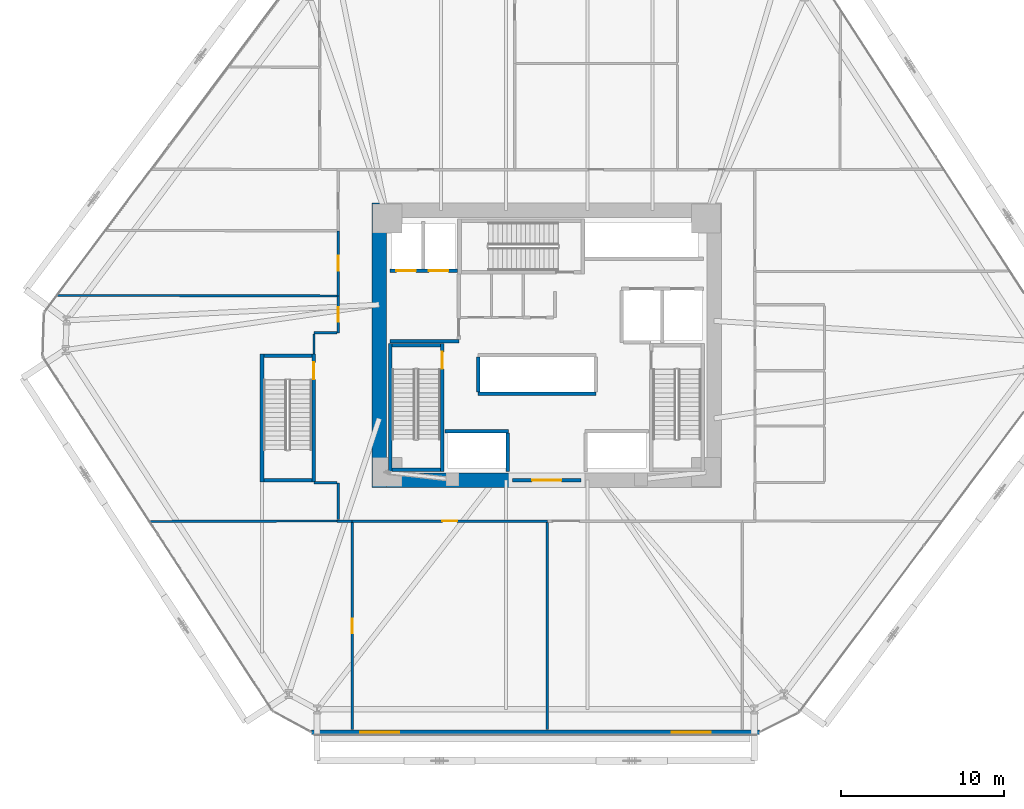
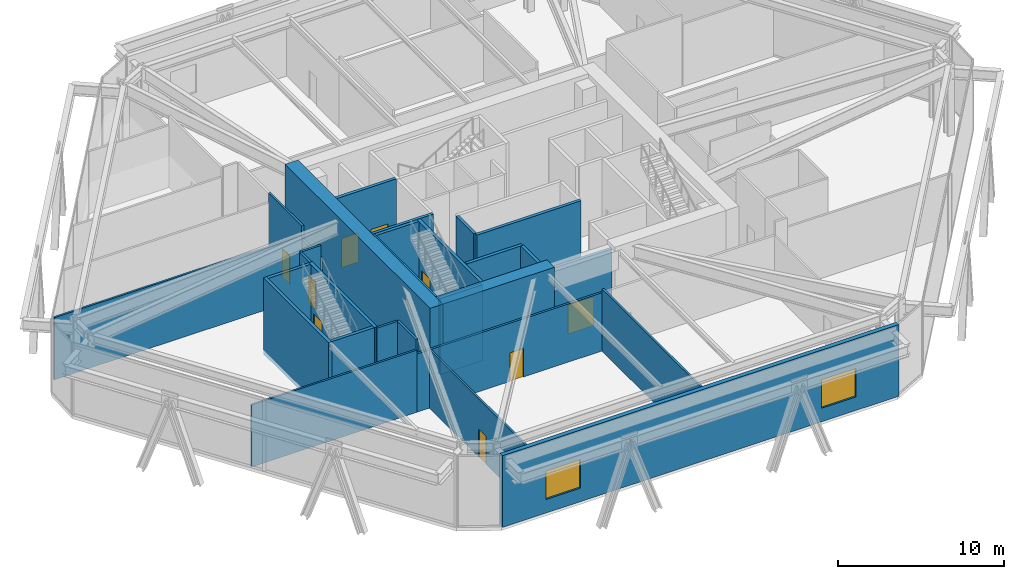
# One storey, part 17 of 23: 30 walls, 9 doors, 2 windows, 11 openings.
"""IFC4 building model written with IfcOpenShell, lengths in metres."""

import ifcopenshell
import ifcopenshell.guid

model = None  # the IFC model being written
_history = None  # IfcOwnerHistory: only IFC2X3 demands one
_inside = {}  # id of a spatial element -> (the spatial element, [elements in it])
_under = {}  # id of a project, library or spatial element -> (it, [spatial elements below it])
_declared = {}  # id of a project -> (the project, [libraries it declares])
_typed = {}  # id of a type object -> (the type object, [elements of that type])
_made_of = {}  # id of a material, layer set ... -> (it, [elements and type objects made of it])


def new_model(schema):
    """Start an empty IFC model of exactly this schema.

    Asked for "IFC4X3", IfcOpenShell would pick the latest addendum, in which some entities
    have other attributes; the version numbers below select the first issue.
    IFC2X3 requires an IfcOwnerHistory on every rooted entity: one is made here for all.
    """
    global model, _history
    if schema == "IFC4X3":
        model = ifcopenshell.file(schema_version=(4, 3, 0, 0))
    else:
        model = ifcopenshell.file(schema=schema)
    _inside.clear()
    _under.clear()
    _declared.clear()
    _typed.clear()
    _made_of.clear()
    _history = None
    if model.schema == "IFC2X3":
        org = make("IfcOrganization", Name="unknown")
        user = make(
            "IfcPersonAndOrganization",
            ThePerson=make("IfcPerson", FamilyName="unknown"),
            TheOrganization=org,
        )
        app = make(
            "IfcApplication",
            ApplicationDeveloper=org,
            Version="unknown",
            ApplicationFullName="unknown",
            ApplicationIdentifier="unknown",
        )
        _history = make(
            "IfcOwnerHistory",
            OwningUser=user,
            OwningApplication=app,
            ChangeAction="ADDED",
            CreationDate=0,
        )
    return model


def make(cls, **values):
    """One entity of the class cls with the attributes given. An attribute that is None is left unset."""
    return model.create_entity(
        cls, **{name: value for name, value in values.items() if value is not None}
    )


def rooted(cls, **values):
    """An entity with a GlobalId (a new one), such as an element, a storey or a relation."""
    return make(cls, GlobalId=ifcopenshell.guid.new(), OwnerHistory=_history, **values)


def si_unit(unit_type, name, prefix=None):
    """IfcSIUnit, for example si_unit("LENGTHUNIT", "METRE", prefix="MILLI")."""
    return make("IfcSIUnit", UnitType=unit_type, Prefix=prefix, Name=name)


def assignment(units):
    """IfcUnitAssignment: the units of a project."""
    return None if units is None else make("IfcUnitAssignment", Units=units)


def point(xyz):
    """IfcCartesianPoint."""
    return None if xyz is None else make("IfcCartesianPoint", Coordinates=xyz)


def direction(xyz):
    """IfcDirection."""
    return None if xyz is None else make("IfcDirection", DirectionRatios=xyz)


def frame(location, z_axis=None, x_axis=None):
    """IfcAxis2Placement3D, a coordinate frame: its origin and axes. An axis left out is left unset."""
    return make(
        "IfcAxis2Placement3D",
        Location=point(location),
        Axis=direction(z_axis),
        RefDirection=direction(x_axis),
    )


def frame_2d(location, x_axis=None):
    """IfcAxis2Placement2D, a coordinate frame in the plane: its origin and x axis."""
    return make(
        "IfcAxis2Placement2D", Location=point(location), RefDirection=direction(x_axis)
    )


def origin():
    """The frame at (0, 0, 0) with its axes left unset."""
    return frame((0.0, 0.0, 0.0))


def place(relative_to, where):
    """IfcLocalPlacement: puts the frame where relative to a parent placement (None: the world)."""
    return make(
        "IfcLocalPlacement", PlacementRelTo=relative_to, RelativePlacement=where
    )


def context(
    kind, dimensions, precision=None, world=None, true_north=None, identifier=None
):
    """IfcGeometricRepresentationContext, for example the 3D "Model" context."""
    return make(
        "IfcGeometricRepresentationContext",
        ContextIdentifier=identifier,
        ContextType=kind,
        CoordinateSpaceDimension=dimensions,
        Precision=precision,
        WorldCoordinateSystem=world,
        TrueNorth=true_north,
    )


def subcontext(parent, identifier, kind, view, scale=None):
    """IfcGeometricRepresentationSubContext, for example "Body" below "Model"."""
    return make(
        "IfcGeometricRepresentationSubContext",
        ContextIdentifier=identifier,
        ContextType=kind,
        ParentContext=parent,
        TargetScale=scale,
        TargetView=view,
    )


def project(units=None, contexts=None):
    """IfcProject with its units and contexts."""
    return rooted(
        "IfcProject",
        Name="project",
        RepresentationContexts=contexts,
        UnitsInContext=assignment(units),
    )


def spatial(cls, under=None, at=None, **own):
    """A site, building, storey or space (cls), placed at a placement, below another one or the project."""
    s = rooted(cls, ObjectPlacement=at, **own)
    if under is not None:
        _under.setdefault(under.id(), (under, []))[1].append(s)
    return s


def profile(cls, at=None, kind="AREA", **sizes):
    """A parametric profile (cls). Its sizes go by their IFC names, for example OverallWidth=200.0."""
    return make(cls, ProfileType=kind, Position=at, **sizes)


def rectangle(**sizes):
    """IfcRectangleProfileDef."""
    return profile("IfcRectangleProfileDef", **sizes)


def extrude(swept, where, along, depth):
    """IfcExtrudedAreaSolid: the profile swept, set in the frame where, extruded along a direction by depth."""
    return make(
        "IfcExtrudedAreaSolid",
        SweptArea=swept,
        Position=where,
        ExtrudedDirection=direction(along),
        Depth=depth,
    )


def shape(context_of_items, identifier, shape_type, items):
    """IfcShapeRepresentation: the items that make up one representation, for example the "Body"."""
    return make(
        "IfcShapeRepresentation",
        ContextOfItems=context_of_items,
        RepresentationIdentifier=identifier,
        RepresentationType=shape_type,
        Items=items,
    )


def source(mapping_origin, context_of_items, identifier, shape_type, items):
    """IfcRepresentationMap: a shape defined once, which mapped items show again and again."""
    return make(
        "IfcRepresentationMap",
        MappingOrigin=mapping_origin,
        MappedRepresentation=shape(context_of_items, identifier, shape_type, items),
    )


def transform(
    local_origin,
    x_axis=None,
    y_axis=None,
    z_axis=None,
    scale=None,
    scale2=None,
    scale3=None,
    uniform=True,
):
    """IfcCartesianTransformationOperator3D, or its non-uniform kind. x_axis, y_axis, z_axis: its Axis1, 2, 3."""
    if uniform:
        return make(
            "IfcCartesianTransformationOperator3D",
            Axis1=direction(x_axis),
            Axis2=direction(y_axis),
            LocalOrigin=point(local_origin),
            Scale=scale,
            Axis3=direction(z_axis),
        )
    return make(
        "IfcCartesianTransformationOperator3DnonUniform",
        Axis1=direction(x_axis),
        Axis2=direction(y_axis),
        LocalOrigin=point(local_origin),
        Scale=scale,
        Axis3=direction(z_axis),
        Scale2=scale2,
        Scale3=scale3,
    )


def mapped(mapping_source, mapping_target):
    """IfcMappedItem: shows the shape of a source again, moved by a transform."""
    return make(
        "IfcMappedItem", MappingSource=mapping_source, MappingTarget=mapping_target
    )


def material(Name=None, Category=None):
    """IfcMaterial."""
    return make("IfcMaterial", Name=Name, Category=Category)


def layer(
    of_material, thickness, ventilated=None, Name=None, Category=None, Priority=None
):
    """IfcMaterialLayer: one layer of a wall or slab, of a material (None: an air gap)."""
    return make(
        "IfcMaterialLayer",
        Material=of_material,
        LayerThickness=thickness,
        IsVentilated=ventilated,
        Name=Name,
        Category=Category,
        Priority=Priority,
    )


def layer_set(layers, Name=None):
    """IfcMaterialLayerSet."""
    return make("IfcMaterialLayerSet", MaterialLayers=layers, LayerSetName=Name)


def made_of(thing, what):
    """Note that an element or type object is made of a material, layer set ...; save() writes the relation."""
    if what is not None:
        _made_of.setdefault(what.id(), (what, []))[1].append(thing)
    return thing


def type_object(cls, material=None, **own):
    """A type object (cls), such as IfcWallType, which elements share."""
    return made_of(rooted(cls, **own), material)


def type_shapes(of_type, sources):
    """Give a type object the sources (RepresentationMaps) that its elements show as mapped items."""
    of_type.RepresentationMaps = sources


def element(
    cls,
    number,
    at=None,
    inside=None,
    cuts=None,
    type_object=None,
    material=None,
    context=None,
    identifier="Body",
    shape_type=None,
    held_by="IfcProductDefinitionShape",
    body=None,
    shapes=None,
    **own,
):
    """One element of the class cls, such as IfcWall. Its Tag is "e" and its number.

    at: its placement. inside: the storey or other place that contains it. cuts: it is an
    opening in that element (IfcRelVoidsElement). A single representation is given by context,
    identifier, shape_type and body (its items); several are given by shapes. held_by: the class
    of the entity that holds the representations. save() writes the other relations.
    """
    e = rooted(cls, Tag="e%d" % number, ObjectPlacement=at, **own)
    if body is not None:
        shapes = [shape(context, identifier, shape_type, body)]
    if shapes is not None:
        e.Representation = make(held_by, Representations=shapes)
    if inside is not None:
        _inside.setdefault(inside.id(), (inside, []))[1].append(e)
    if cuts is not None:
        rooted(
            "IfcRelVoidsElement", RelatingBuildingElement=cuts, RelatedOpeningElement=e
        )
    if type_object is not None:
        _typed.setdefault(type_object.id(), (type_object, []))[1].append(e)
    return made_of(e, material)


def fill(opening, filler):
    """IfcRelFillsElement: the door or window that sits in an opening."""
    return rooted(
        "IfcRelFillsElement",
        RelatingOpeningElement=opening,
        RelatedBuildingElement=filler,
    )


def aggregate(whole, parts):
    """IfcRelAggregates: a whole, such as a stair, and the parts it consists of."""
    return rooted("IfcRelAggregates", RelatingObject=whole, RelatedObjects=parts)


def save(model, path):
    """Write the relations noted so far, then the file.

    IfcRelAggregates (storeys below a building ...), IfcRelContainedInSpatialStructure (elements
    in a storey), IfcRelDefinesByType, IfcRelAssociatesMaterial and IfcRelDeclares: one each for
    every whole, place, type object, material and project.
    """
    for whole, parts in _under.values():
        aggregate(whole, parts)
    for where, things in _inside.values():
        rooted(
            "IfcRelContainedInSpatialStructure",
            RelatedElements=things,
            RelatingStructure=where,
        )
    for kind, things in _typed.values():
        rooted("IfcRelDefinesByType", RelatedObjects=things, RelatingType=kind)
    for what, things in _made_of.values():
        rooted("IfcRelAssociatesMaterial", RelatedObjects=things, RelatingMaterial=what)
    for by, libraries in _declared.values():
        rooted("IfcRelDeclares", RelatingContext=by, RelatedDefinitions=libraries)
    model.write(path)


model = new_model("IFC4")

# Units and contexts
model_context = context("Model", 3, precision=1e-05, world=origin(), true_north=direction((0.0, 1.0)))
body_context = subcontext(model_context, "Body", "Model", "MODEL_VIEW")
ifc_project = project(units=[si_unit("LENGTHUNIT", "METRE"), si_unit("AREAUNIT", "SQUARE_METRE"), si_unit("VOLUMEUNIT", "CUBIC_METRE"), si_unit("PLANEANGLEUNIT", "RADIAN"), si_unit("MASSUNIT", "GRAM", prefix="KILO")], contexts=[model_context])

# Site, building, storey
site_placement = place(None, origin())
site = spatial("IfcSite", under=ifc_project, at=site_placement, CompositionType="ELEMENT")
building_placement = place(site_placement, origin())
building = spatial("IfcBuilding", under=site, at=building_placement, Name="Durnholm Broadcast Tower", CompositionType="ELEMENT")
storey_placement = place(building_placement, frame((0.0, 0.0, 21.199951171875)))
storey = spatial("IfcBuildingStorey", under=building, at=storey_placement, Name="L04", CompositionType="ELEMENT", Elevation=21.199951171875)

# Walls
ifc_material_1 = material(Name="Concrete C70/85", Category="concrete")
ifc_layer_1 = layer(ifc_material_1, 0.89990234375)
ifc_layer_set_1 = layer_set([ifc_layer_1], Name="Concrete C70/85")
wall_type_1 = type_object("IfcWallType", Name="WALL-CW-900", PredefinedType="SHEAR", material=ifc_layer_set_1)
wall_1_placement = place(storey_placement, frame((-10.300048828125, -8.75, 0.0), z_axis=(0.0, 0.0, 1.0), x_axis=(0.0, 1.0, 0.0)))
element("IfcWall", 1, at=wall_1_placement, inside=storey, type_object=wall_type_1, Name="L04 central core shear wall CW-WEST", PredefinedType="SHEAR", context=body_context, shape_type="SweptSolid", body=[
    extrude(rectangle(XDim=17.5, YDim=0.89990234375, at=frame_2d((8.75, 0.0))), origin(), (0.0, 0.0, 1.0), 5.60009765625),
])
wall_2_placement = place(storey_placement, frame((-9.85009765625, -8.300048828125, 0.0), z_axis=(0.0, 0.0, 1.0), x_axis=(1.0, 0.0, 0.0)))
element("IfcWall", 2, at=wall_2_placement, inside=storey, type_object=wall_type_1, Name="L04 central core shear wall CW-S1", PredefinedType="SHEAR", context=body_context, shape_type="SweptSolid", body=[
    extrude(rectangle(XDim=7.75, YDim=0.89990234375, at=frame_2d((3.875, 0.0))), origin(), (0.0, 0.0, 1.0), 5.60009765625),
])

# Wall, openings, windows
ifc_material_2 = material(Name="Precast Concrete C45/55", Category="concrete")
ifc_layer_2 = layer(ifc_material_2, 0.300048828125)
ifc_layer_set_2 = layer_set([ifc_layer_2], Name="Precast Concrete C45/55")
wall_type_2 = type_object("IfcWallType", Name="WALL-EXT-300", PredefinedType="SOLIDWALL", material=ifc_layer_set_2)
wall_3_placement = place(storey_placement, frame((13.102783203125, -23.800048828125, 0.0), z_axis=(0.0, 0.0, 1.0), x_axis=(-1.0, 0.0, 0.0)))
wall_3 = element("IfcWall", 3, at=wall_3_placement, inside=storey, type_object=wall_type_2, Name="L04 broadcast studio acoustic facade wall 10", PredefinedType="SOLIDWALL", context=body_context, shape_type="SweptSolid", body=[
    extrude(rectangle(XDim=27.577880859375, YDim=0.300048828125, at=frame_2d((13.7890625, 0.0))), origin(), (0.0, 0.0, 1.0), 5.280029296875),
])
opening_1_placement = place(wall_3_placement, frame((3.0, 0.0, 1.0)))
opening_1 = element("IfcOpeningElement", 4, at=opening_1_placement, cuts=wall_3, Name="Opening W1", PredefinedType="OPENING", context=body_context, shape_type="SweptSolid", body=[
    extrude(rectangle(XDim=2.39990234375, YDim=2.10009765625, at=frame_2d((1.199951171875, 1.050048828125))), frame((0.0, 0.16015625, 0.0), z_axis=(0.0, -1.0, 0.0), x_axis=(1.0, 0.0, 0.0)), (0.0, 0.0, 1.0), 0.320068359375),
])
opening_2_placement = place(wall_3_placement, frame((22.177978515625, 0.0, 1.0)))
opening_2 = element("IfcOpeningElement", 5, at=opening_2_placement, cuts=wall_3, Name="Opening W1", PredefinedType="OPENING", context=body_context, shape_type="SweptSolid", body=[
    extrude(rectangle(XDim=2.39990234375, YDim=2.10009765625, at=frame_2d((1.199951171875, 1.050048828125))), frame((0.0, 0.16015625, 0.0), z_axis=(0.0, -1.0, 0.0), x_axis=(1.0, 0.0, 0.0)), (0.0, 0.0, 1.0), 0.320068359375),
])
ifc_material_3 = material(Name="Thermally Broken Aluminium and Laminated Glass", Category="aluminium")
ifc_layer_3 = layer(ifc_material_3, 0.06005859375)
ifc_layer_set_3 = layer_set([ifc_layer_3], Name="Thermally Broken Aluminium and Laminated Glass")
window_type = type_object("IfcWindowType", Name="WIN-W1", PartitioningType="SINGLE_PANEL", PredefinedType="WINDOW", material=ifc_layer_set_3)
shared_shape_1 = source(origin(), body_context, "Body", "SweptSolid", [
    extrude(rectangle(XDim=2.39990234375, YDim=2.10009765625, at=frame_2d((1.199951171875, 1.050048828125))), frame((0.0, 0.030029296875, 0.0), z_axis=(0.0, -1.0, 0.0), x_axis=(1.0, 0.0, 0.0)), (0.0, 0.0, 1.0), 0.06005859375),
])
type_shapes(window_type, [shared_shape_1])
window_1_placement = place(opening_1_placement, origin())
window_1 = element("IfcWindow", 6, at=window_1_placement, inside=storey, type_object=window_type, Name="L04 studio acoustic window 10.1", OverallHeight=2.10009765625, OverallWidth=2.39990234375, PartitioningType="SINGLE_PANEL", PredefinedType="WINDOW", context=body_context, shape_type="MappedRepresentation", body=[
    mapped(shared_shape_1, transform((0.0, 0.0, 0.0), x_axis=(1.0, 0.0, 0.0), y_axis=(0.0, 1.0, 0.0), z_axis=(0.0, 0.0, 1.0), scale=1.0)),
])
fill(opening_1, window_1)
window_2_placement = place(opening_2_placement, origin())
window_2 = element("IfcWindow", 7, at=window_2_placement, inside=storey, type_object=window_type, Name="L04 studio acoustic window 10.2", OverallHeight=2.10009765625, OverallWidth=2.39990234375, PartitioningType="SINGLE_PANEL", PredefinedType="WINDOW", context=body_context, shape_type="MappedRepresentation", body=[
    mapped(shared_shape_1, transform((0.0, 0.0, 0.0), x_axis=(1.0, 0.0, 0.0), y_axis=(0.0, 1.0, 0.0), z_axis=(0.0, 0.0, 1.0), scale=1.0)),
])
fill(opening_2, window_2)

# Wall, opening, door
ifc_material_4 = material(Name="Fire-Rated Gypsum Shaftwall", Category="concrete")
ifc_layer_4 = layer(ifc_material_4, 0.199951171875)
ifc_layer_set_4 = layer_set([ifc_layer_4], Name="Fire-Rated Gypsum Shaftwall")
wall_type_3 = type_object("IfcWallType", Name="WALL-LOB-200", PredefinedType="SOLIDWALL", material=ifc_layer_set_4)
wall_4_placement = place(storey_placement, frame((-2.10009765625, -8.300048828125, 0.0), z_axis=(0.0, 0.0, 1.0), x_axis=(1.0, 0.0, 0.0)))
wall_4 = element("IfcWall", 8, at=wall_4_placement, inside=storey, type_object=wall_type_3, Name="L04 south core lobby fire screen", PredefinedType="SOLIDWALL", context=body_context, shape_type="SweptSolid", body=[
    extrude(rectangle(XDim=4.2001953125, YDim=0.199951171875, at=frame_2d((2.10009765625, 0.0))), origin(), (0.0, 0.0, 1.0), 5.26513671875),
])
opening_3_placement = place(wall_4_placement, frame((1.199951171875, 0.0, 0.0)))
opening_3 = element("IfcOpeningElement", 9, at=opening_3_placement, cuts=wall_4, Name="Opening DP-60", PredefinedType="OPENING", context=body_context, shape_type="SweptSolid", body=[
    extrude(rectangle(XDim=1.800048828125, YDim=2.14990234375, at=frame_2d((0.89990234375, 1.074951171875))), frame((0.0, 0.10986328125, 0.0), z_axis=(0.0, -1.0, 0.0), x_axis=(1.0, 0.0, 0.0)), (0.0, 0.0, 1.0), 0.219970703125),
])
ifc_material_5 = material(Name="Fire-Rated Double Corridor Door", Category="steel")
ifc_layer_5 = layer(ifc_material_5, 0.050048828125)
ifc_layer_set_5 = layer_set([ifc_layer_5], Name="Fire-Rated Double Corridor Door")
door_type_1 = type_object("IfcDoorType", Name="DOOR-PAIR-FD60", OperationType="DOUBLE_DOOR_SINGLE_SWING", PredefinedType="DOOR", material=ifc_layer_set_5)
shared_shape_2 = source(origin(), body_context, "Body", "SweptSolid", [
    extrude(rectangle(XDim=1.800048828125, YDim=2.14990234375, at=frame_2d((0.89990234375, 1.074951171875))), frame((0.0, 0.02490234375, 0.0), z_axis=(0.0, -1.0, 0.0), x_axis=(1.0, 0.0, 0.0)), (0.0, 0.0, 1.0), 0.050048828125),
])
type_shapes(door_type_1, [shared_shape_2])
door_1_placement = place(opening_3_placement, origin())
door_1 = element("IfcDoor", 10, at=door_1_placement, inside=storey, type_object=door_type_1, Name="L04 south core lobby double fire door", OperationType="DOUBLE_DOOR_SINGLE_SWING", OverallHeight=2.14990234375, OverallWidth=1.800048828125, PredefinedType="DOOR", context=body_context, shape_type="MappedRepresentation", body=[
    mapped(shared_shape_2, transform((0.0, 0.0, 0.0), x_axis=(1.0, 0.0, 0.0), y_axis=(0.0, 1.0, 0.0), z_axis=(0.0, 0.0, 1.0), scale=1.0)),
])
fill(opening_3, door_1)

# Wall
wall_5_placement = place(storey_placement, frame((-9.64990234375, 0.25, 0.0), z_axis=(0.0, 0.0, 1.0), x_axis=(1.0, 0.0, 0.0)))
element("IfcWall", 11, at=wall_5_placement, inside=storey, type_object=wall_type_3, Name="L04 Fire Service Access Elevator lobby south wall", PredefinedType="SOLIDWALL", context=body_context, shape_type="SweptSolid", body=[
    extrude(rectangle(XDim=4.27001953125, YDim=0.199951171875, at=frame_2d((2.135009765625, 0.0))), origin(), (0.0, 0.0, 1.0), 5.26513671875),
])

# Wall, opening, door
ifc_material_6 = material(Name="Gypsum Metal Stud Partition", Category="concrete")
ifc_layer_6 = layer(ifc_material_6, 0.135009765625)
ifc_layer_set_6 = layer_set([ifc_layer_6], Name="Gypsum Metal Stud Partition")
wall_type_4 = type_object("IfcWallType", Name="WALL-PART-135", PredefinedType="PARTITIONING", material=ifc_layer_set_6)
wall_6_placement = place(storey_placement, frame((-11.9599609375, -10.888916015625, 0.0), z_axis=(0.0, 0.0, 1.0), x_axis=(0.0, -1.0, 0.0)))
wall_6 = element("IfcWall", 12, at=wall_6_placement, inside=storey, type_object=wall_type_4, Name="L04 room dividing partition 14.15", PredefinedType="PARTITIONING", context=body_context, shape_type="SweptSolid", body=[
    extrude(rectangle(XDim=12.756103515625, YDim=0.135009765625, at=frame_2d((6.3779296875, 0.0))), origin(), (0.0, 0.0, 1.0), 4.28466796875),
])
opening_4_placement = place(wall_6_placement, frame((5.927978515625, 0.0, 0.0)))
opening_4 = element("IfcOpeningElement", 13, at=opening_4_placement, cuts=wall_6, Name="Opening DW-90L", PredefinedType="OPENING", context=body_context, shape_type="SweptSolid", body=[
    extrude(rectangle(XDim=0.89990234375, YDim=2.050048828125, at=frame_2d((0.449951171875, 1.02490234375))), frame((0.0, 0.07763671875, 0.0), z_axis=(0.0, -1.0, 0.0), x_axis=(1.0, 0.0, 0.0)), (0.0, 0.0, 1.0), 0.155029296875),
])
ifc_material_7 = material(Name="Laminate Restroom Door", Category="steel")
ifc_layer_7 = layer(ifc_material_7, 0.050048828125)
ifc_layer_set_7 = layer_set([ifc_layer_7], Name="Laminate Restroom Door")
door_type_2 = type_object("IfcDoorType", Name="DOOR-WC-900L", OperationType="NOTDEFINED", PredefinedType="DOOR", material=ifc_layer_set_7)
shared_shape_3 = source(origin(), body_context, "Body", "SweptSolid", [
    extrude(rectangle(XDim=0.89990234375, YDim=2.050048828125, at=frame_2d((0.449951171875, 1.02490234375))), frame((0.0, 0.02490234375, 0.0), z_axis=(0.0, -1.0, 0.0), x_axis=(1.0, 0.0, 0.0)), (0.0, 0.0, 1.0), 0.050048828125),
])
type_shapes(door_type_2, [shared_shape_3])
door_2_placement = place(opening_4_placement, origin())
door_2 = element("IfcDoor", 14, at=door_2_placement, inside=storey, type_object=door_type_2, Name="L04 Open Plan Broadcast Workspace 3 connecting door", OperationType="SINGLE_SWING_LEFT", OverallHeight=2.050048828125, OverallWidth=0.89990234375, PredefinedType="DOOR", context=body_context, shape_type="MappedRepresentation", body=[
    mapped(shared_shape_3, transform((0.0, 0.0, 0.0), x_axis=(1.0, 0.0, 0.0), y_axis=(0.0, 1.0, 0.0), z_axis=(0.0, 0.0, 1.0), scale=1.0)),
])
fill(opening_4, door_2)

# Walls
wall_7_placement = place(storey_placement, frame((-24.421630859375, -10.831787109375, 0.0), z_axis=(0.0, 0.0, 1.0), x_axis=(0.999998264499, 0.001863061508, 0.0)))
element("IfcWall", 15, at=wall_7_placement, inside=storey, type_object=wall_type_4, Name="L04 room dividing partition 14.18", PredefinedType="PARTITIONING", context=body_context, shape_type="SweptSolid", body=[
    extrude(rectangle(XDim=11.53173828125, YDim=0.135009765625, at=frame_2d((5.765869140625, 0.0))), origin(), (0.0, 0.0, 1.0), 4.57421875),
])
wall_8_placement = place(storey_placement, frame((0.0400390625, -10.888916015625, 0.0), z_axis=(0.0, 0.0, 1.0), x_axis=(0.0, -1.0, 0.0)))
element("IfcWall", 16, at=wall_8_placement, inside=storey, type_object=wall_type_4, Name="L04 room dividing partition 15.16", PredefinedType="PARTITIONING", context=body_context, shape_type="SweptSolid", body=[
    extrude(rectangle(XDim=12.756103515625, YDim=0.135009765625, at=frame_2d((6.3779296875, 0.0))), origin(), (0.0, 0.0, 1.0), 4.57421875),
])
wall_9_placement = place(storey_placement, frame((-30.130615234375, 3.06396484375, 0.0), z_axis=(0.0, 0.0, 1.0), x_axis=(0.999999037188, -0.001387668229, 0.0)))
element("IfcWall", 17, at=wall_9_placement, inside=storey, type_object=wall_type_4, Name="L04 room dividing partition 18.19", PredefinedType="PARTITIONING", context=body_context, shape_type="SweptSolid", body=[
    extrude(rectangle(XDim=17.24169921875, YDim=0.135009765625, at=frame_2d((8.620849609375, 0.0))), origin(), (0.0, 0.0, 1.0), 4.57421875),
])
ifc_material_8 = material(Name="Acoustic Gypsum Stud Partition", Category="concrete")
ifc_layer_8 = layer(ifc_material_8, 0.14990234375)
ifc_layer_set_8 = layer_set([ifc_layer_8], Name="Acoustic Gypsum Stud Partition")
wall_type_5 = type_object("IfcWallType", Name="WALL-PART-150", PredefinedType="PARTITIONING", material=ifc_layer_set_8)
wall_10_placement = place(storey_placement, frame((-12.889892578125, -10.81005859375, 0.0), z_axis=(0.0, 0.0, 1.0), x_axis=(1.0, 0.0, 0.0)))
element("IfcWall", 18, at=wall_10_placement, inside=storey, type_object=wall_type_5, Name="L04 Open Plan Broadcast Workspace 3 corridor partition", PredefinedType="PARTITIONING", context=body_context, shape_type="SweptSolid", body=[
    extrude(rectangle(XDim=0.929931640625, YDim=0.14990234375, at=frame_2d((0.46484375, 0.0))), origin(), (0.0, 0.0, 1.0), 4.28466796875),
])

# Wall, opening, door
wall_11_placement = place(storey_placement, frame((-11.9599609375, -10.81005859375, 0.0), z_axis=(0.0, 0.0, 1.0), x_axis=(1.0, 0.0, 0.0)))
wall_11 = element("IfcWall", 19, at=wall_11_placement, inside=storey, type_object=wall_type_5, Name="L04 Studio Control Office 4A corridor partition", PredefinedType="PARTITIONING", context=body_context, shape_type="SweptSolid", body=[
    extrude(rectangle(XDim=12.0, YDim=0.14990234375, at=frame_2d((6.0, 0.0))), origin(), (0.0, 0.0, 1.0), 4.28466796875),
])
opening_5_placement = place(wall_11_placement, frame((5.5400390625, 0.0, 0.0)))
opening_5 = element("IfcOpeningElement", 20, at=opening_5_placement, cuts=wall_11, Name="Opening DR-92L", PredefinedType="OPENING", context=body_context, shape_type="SweptSolid", body=[
    extrude(rectangle(XDim=0.919921875, YDim=2.10009765625, at=frame_2d((0.4599609375, 1.050048828125))), frame((0.0, 0.0849609375, 0.0), z_axis=(0.0, -1.0, 0.0), x_axis=(1.0, 0.0, 0.0)), (0.0, 0.0, 1.0), 0.169921875),
])
ifc_material_9 = material(Name="Oak Veneer Office Door", Category="wood")
ifc_layer_9 = layer(ifc_material_9, 0.050048828125)
ifc_layer_set_9 = layer_set([ifc_layer_9], Name="Oak Veneer Office Door")
door_type_3 = type_object("IfcDoorType", Name="DOOR-RM-920L", OperationType="NOTDEFINED", PredefinedType="DOOR", material=ifc_layer_set_9)
shared_shape_4 = source(origin(), body_context, "Body", "SweptSolid", [
    extrude(rectangle(XDim=0.919921875, YDim=2.10009765625, at=frame_2d((0.4599609375, 1.050048828125))), frame((0.0, 0.02490234375, 0.0), z_axis=(0.0, -1.0, 0.0), x_axis=(1.0, 0.0, 0.0)), (0.0, 0.0, 1.0), 0.050048828125),
])
type_shapes(door_type_3, [shared_shape_4])
door_3_placement = place(opening_5_placement, origin())
door_3 = element("IfcDoor", 21, at=door_3_placement, inside=storey, type_object=door_type_3, Name="L04 Studio Control Office 4A entrance door", OperationType="SINGLE_SWING_LEFT", OverallHeight=2.10009765625, OverallWidth=0.919921875, PredefinedType="DOOR", context=body_context, shape_type="MappedRepresentation", body=[
    mapped(shared_shape_4, transform((0.0, 0.0, 0.0), x_axis=(1.0, 0.0, 0.0), y_axis=(0.0, 1.0, 0.0), z_axis=(0.0, 0.0, 1.0), scale=1.0)),
])
fill(opening_5, door_3)

# Wall
wall_12_placement = place(storey_placement, frame((-12.81005859375, -8.4599609375, 0.0), z_axis=(0.0, 0.0, 1.0), x_axis=(0.0, -1.0, 0.0)))
element("IfcWall", 22, at=wall_12_placement, inside=storey, type_object=wall_type_5, Name="L04 Wardrobe Store corridor partition", PredefinedType="PARTITIONING", context=body_context, shape_type="SweptSolid", body=[
    extrude(rectangle(XDim=2.27099609375, YDim=0.14990234375, at=frame_2d((1.135498046875, 0.0))), origin(), (0.0, 0.0, 1.0), 5.26513671875),
])

# Wall, opening, door
wall_13_placement = place(storey_placement, frame((-12.81005859375, 3.0400390625, 0.0), z_axis=(0.0, 0.0, 1.0), x_axis=(0.0, -1.0, 0.0)))
wall_13 = element("IfcWall", 23, at=wall_13_placement, inside=storey, type_object=wall_type_5, Name="L04 Wardrobe Store corridor partition", PredefinedType="PARTITIONING", context=body_context, shape_type="SweptSolid", body=[
    extrude(rectangle(XDim=2.280029296875, YDim=0.14990234375, at=frame_2d((1.14013671875, 0.0))), origin(), (0.0, 0.0, 1.0), 4.28466796875),
])
opening_6_placement = place(wall_13_placement, frame((0.68994140625, 0.0, 0.0)))
opening_6 = element("IfcOpeningElement", 24, at=opening_6_placement, cuts=wall_13, Name="Opening DC-60R", PredefinedType="OPENING", context=body_context, shape_type="SweptSolid", body=[
    extrude(rectangle(XDim=0.89990234375, YDim=2.050048828125, at=frame_2d((0.449951171875, 1.02490234375))), frame((0.0, 0.0849609375, 0.0), z_axis=(0.0, -1.0, 0.0), x_axis=(1.0, 0.0, 0.0)), (0.0, 0.0, 1.0), 0.169921875),
])
ifc_material_10 = material(Name="Fire-Rated Core Service Door", Category="steel")
ifc_layer_10 = layer(ifc_material_10, 0.050048828125)
ifc_layer_set_10 = layer_set([ifc_layer_10], Name="Fire-Rated Core Service Door")
door_type_4 = type_object("IfcDoorType", Name="DOOR-CORE-FD60-R", OperationType="NOTDEFINED", PredefinedType="DOOR", material=ifc_layer_set_10)
shared_shape_5 = source(origin(), body_context, "Body", "SweptSolid", [
    extrude(rectangle(XDim=0.89990234375, YDim=2.050048828125, at=frame_2d((0.449951171875, 1.02490234375))), frame((0.0, 0.02490234375, 0.0), z_axis=(0.0, -1.0, 0.0), x_axis=(1.0, 0.0, 0.0)), (0.0, 0.0, 1.0), 0.050048828125),
])
type_shapes(door_type_4, [shared_shape_5])
door_4_placement = place(opening_6_placement, origin())
door_4 = element("IfcDoor", 25, at=door_4_placement, inside=storey, type_object=door_type_4, Name="L04 Wardrobe Store entrance door", OperationType="SINGLE_SWING_RIGHT", OverallHeight=2.050048828125, OverallWidth=0.89990234375, PredefinedType="DOOR", context=body_context, shape_type="MappedRepresentation", body=[
    mapped(shared_shape_5, transform((0.0, 0.0, 0.0), x_axis=(1.0, 0.0, 0.0), y_axis=(0.0, 1.0, 0.0), z_axis=(0.0, 0.0, 1.0), scale=1.0)),
])
fill(opening_6, door_4)

# Walls
for number, where, z_axis, x_axis, name in (
    (26, (-12.888916015625, 0.760009765625, 0.0), (0.0, 0.0, 1.0), (-1.0, 0.0, 0.0), "L04 Wardrobe Store corridor partition"),
    (27, (-14.31005859375, -8.4599609375, 0.0), (0.0, 0.0, 1.0), (1.0, 0.0, 0.0), "L04 Wardrobe Store corridor partition"),
):
    element("IfcWall", number, at=place(storey_placement, frame(where, z_axis=z_axis, x_axis=x_axis)), inside=storey, type_object=wall_type_5, Name=name, PredefinedType="PARTITIONING", context=body_context, shape_type="SweptSolid", body=[
        extrude(rectangle(XDim=1.421142578125, YDim=0.14990234375, at=frame_2d((0.71044921875, 0.0))), origin(), (0.0, 0.0, 1.0), 5.26513671875),
    ])
wall_14_placement = place(storey_placement, frame((-14.31005859375, 0.680908203125, 0.0), z_axis=(0.0, 0.0, 1.0), x_axis=(0.0, -1.0, 0.0)))
element("IfcWall", 28, at=wall_14_placement, inside=storey, type_object=wall_type_5, Name="L04 Wardrobe Store corridor partition", PredefinedType="PARTITIONING", context=body_context, shape_type="SweptSolid", body=[
    extrude(rectangle(XDim=1.2109375, YDim=0.14990234375, at=frame_2d((0.60546875, 0.0))), origin(), (0.0, 0.0, 1.0), 5.26513671875),
])

# Wall, opening, door
wall_15_placement = place(storey_placement, frame((-12.81005859375, 7.0400390625, 0.0), z_axis=(0.0, 0.0, 1.0), x_axis=(0.0, -1.0, 0.0)))
wall_15 = element("IfcWall", 29, at=wall_15_placement, inside=storey, type_object=wall_type_5, Name="L04 Broadcast Engineering Office corridor partition", PredefinedType="PARTITIONING", context=body_context, shape_type="SweptSolid", body=[
    extrude(rectangle(XDim=4.0, YDim=0.14990234375, at=frame_2d((2.0, 0.0))), origin(), (0.0, 0.0, 1.0), 5.26513671875),
])
opening_7_placement = place(wall_15_placement, frame((1.5400390625, 0.0, 0.0)))
opening_7 = element("IfcOpeningElement", 30, at=opening_7_placement, cuts=wall_15, Name="Opening DR-92L", PredefinedType="OPENING", context=body_context, shape_type="SweptSolid", body=[
    extrude(rectangle(XDim=0.919921875, YDim=2.10009765625, at=frame_2d((0.4599609375, 1.050048828125))), frame((0.0, 0.0849609375, 0.0), z_axis=(0.0, -1.0, 0.0), x_axis=(1.0, 0.0, 0.0)), (0.0, 0.0, 1.0), 0.169921875),
])
door_5_placement = place(opening_7_placement, origin())
door_5 = element("IfcDoor", 31, at=door_5_placement, inside=storey, type_object=door_type_3, Name="L04 Broadcast Engineering Office entrance door", OperationType="SINGLE_SWING_LEFT", OverallHeight=2.10009765625, OverallWidth=0.919921875, PredefinedType="DOOR", context=body_context, shape_type="MappedRepresentation", body=[
    mapped(shared_shape_4, transform((0.0, 0.0, 0.0), x_axis=(1.0, 0.0, 0.0), y_axis=(0.0, 1.0, 0.0), z_axis=(0.0, 0.0, 1.0), scale=1.0)),
])
fill(opening_7, door_5)

# Wall, openings, doors
ifc_material_11 = material(Name="Concrete Blockwork C30/37", Category="masonry")
ifc_layer_11 = layer(ifc_material_11, 0.219970703125)
ifc_layer_set_11 = layer_set([ifc_layer_11], Name="Concrete Blockwork C30/37")
wall_type_6 = type_object("IfcWallType", Name="WALL-SHAFT-220", PredefinedType="SOLIDWALL", material=ifc_layer_set_11)
wall_16_placement = place(storey_placement, frame((-9.64990234375, 4.580078125, 0.0), z_axis=(0.0, 0.0, 1.0), x_axis=(1.0, 0.0, 0.0)))
wall_16 = element("IfcWall", 32, at=wall_16_placement, inside=storey, type_object=wall_type_6, Name="L04 FSAE hoistway front fire wall", PredefinedType="SOLIDWALL", context=body_context, shape_type="SweptSolid", body=[
    extrude(rectangle(XDim=4.1748046875, YDim=0.219970703125, at=frame_2d((2.08740234375, 0.0))), origin(), (0.0, 0.0, 1.0), 5.26513671875),
])
opening_8_placement = place(wall_16_placement, frame((0.39990234375, 0.0, 0.0)))
opening_8 = element("IfcOpeningElement", 33, at=opening_8_placement, cuts=wall_16, Name="Opening LD-FSAE-2", PredefinedType="OPENING", context=body_context, shape_type="SweptSolid", body=[
    extrude(rectangle(XDim=1.199951171875, YDim=2.14990234375, at=frame_2d((0.60009765625, 1.074951171875))), frame((0.0, 0.1201171875, 0.0), z_axis=(0.0, -1.0, 0.0), x_axis=(1.0, 0.0, 0.0)), (0.0, 0.0, 1.0), 0.239990234375),
])
opening_9_placement = place(wall_16_placement, frame((2.39990234375, 0.0, 0.0)))
opening_9 = element("IfcOpeningElement", 34, at=opening_9_placement, cuts=wall_16, Name="Opening LD-FSAE-1", PredefinedType="OPENING", context=body_context, shape_type="SweptSolid", body=[
    extrude(rectangle(XDim=1.199951171875, YDim=2.14990234375, at=frame_2d((0.60009765625, 1.074951171875))), frame((0.0, 0.1201171875, 0.0), z_axis=(0.0, -1.0, 0.0), x_axis=(1.0, 0.0, 0.0)), (0.0, 0.0, 1.0), 0.239990234375),
])
ifc_material_12 = material(Name="Fire Service Access Sliding Landing Door", Category="steel")
ifc_layer_12 = layer(ifc_material_12, 0.050048828125)
ifc_layer_set_12 = layer_set([ifc_layer_12], Name="Fire Service Access Sliding Landing Door")
door_type_5 = type_object("IfcDoorType", Name="DOOR-LIFT-FSAE", OperationType="DOUBLE_DOOR_SLIDING", PredefinedType="DOOR", material=ifc_layer_set_12)
shared_shape_6 = source(origin(), body_context, "Body", "SweptSolid", [
    extrude(rectangle(XDim=1.199951171875, YDim=2.14990234375, at=frame_2d((0.60009765625, 1.074951171875))), frame((0.0, 0.02490234375, 0.0), z_axis=(0.0, -1.0, 0.0), x_axis=(1.0, 0.0, 0.0)), (0.0, 0.0, 1.0), 0.050048828125),
])
type_shapes(door_type_5, [shared_shape_6])
door_6_placement = place(opening_8_placement, origin())
door_6 = element("IfcDoor", 35, at=door_6_placement, inside=storey, type_object=door_type_5, Name="L04 Fire Service Access Elevator FSAE-2 sliding landing door", OperationType="DOUBLE_DOOR_SLIDING", OverallHeight=2.14990234375, OverallWidth=1.199951171875, PredefinedType="DOOR", context=body_context, shape_type="MappedRepresentation", body=[
    mapped(shared_shape_6, transform((0.0, 0.0, 0.0), x_axis=(1.0, 0.0, 0.0), y_axis=(0.0, 1.0, 0.0), z_axis=(0.0, 0.0, 1.0), scale=1.0)),
])
fill(opening_8, door_6)
door_7_placement = place(opening_9_placement, origin())
door_7 = element("IfcDoor", 36, at=door_7_placement, inside=storey, type_object=door_type_5, Name="L04 Fire Service Access Elevator FSAE-1 sliding landing door", OperationType="DOUBLE_DOOR_SLIDING", OverallHeight=2.14990234375, OverallWidth=1.199951171875, PredefinedType="DOOR", context=body_context, shape_type="MappedRepresentation", body=[
    mapped(shared_shape_6, transform((0.0, 0.0, 0.0), x_axis=(1.0, 0.0, 0.0), y_axis=(0.0, 1.0, 0.0), z_axis=(0.0, 0.0, 1.0), scale=1.0)),
])
fill(opening_9, door_7)

# Walls
wall_17_placement = place(storey_placement, frame((-6.25, -5.280029296875, 0.0), z_axis=(0.0, 0.0, 1.0), x_axis=(1.0, 0.0, 0.0)))
element("IfcWall", 37, at=wall_17_placement, inside=storey, type_object=wall_type_6, Name="L04 low-rise bank P1 west front wall", PredefinedType="SOLIDWALL", context=body_context, shape_type="SweptSolid", body=[
    extrude(rectangle(XDim=3.89990234375, YDim=0.219970703125, at=frame_2d((1.949951171875, 0.0))), origin(), (0.0, 0.0, 1.0), 5.26513671875),
])
wall_18_placement = place(storey_placement, frame((-2.39990234375, -7.75, 0.0), z_axis=(0.0, 0.0, 1.0), x_axis=(0.0, 1.0, 0.0)))
element("IfcWall", 38, at=wall_18_placement, inside=storey, type_object=wall_type_6, Name="L04 low-rise bank P1 west mouth wall", PredefinedType="SOLIDWALL", context=body_context, shape_type="SweptSolid", body=[
    extrude(rectangle(XDim=2.35595703125, YDim=0.219970703125, at=frame_2d((1.177978515625, 0.0))), origin(), (0.0, 0.0, 1.0), 5.26513671875),
])
wall_19_placement = place(storey_placement, frame((-4.219970703125, -2.97998046875, 0.0), z_axis=(0.0, 0.0, 1.0), x_axis=(1.0, 0.0, 0.0)))
element("IfcWall", 39, at=wall_19_placement, inside=storey, type_object=wall_type_6, Name="L04 mid-rise bank P2 south front wall", PredefinedType="SOLIDWALL", context=body_context, shape_type="SweptSolid", body=[
    extrude(rectangle(XDim=7.239990234375, YDim=0.219970703125, at=frame_2d((3.6201171875, 0.0))), origin(), (0.0, 0.0, 1.0), 5.26513671875),
])
wall_20_placement = place(storey_placement, frame((-4.219970703125, -2.865966796875, 0.0), z_axis=(0.0, 0.0, 1.0), x_axis=(0.0, 1.0, 0.0)))
element("IfcWall", 40, at=wall_20_placement, inside=storey, type_object=wall_type_6, Name="L04 mid-rise bank P2 west shaft wall", PredefinedType="SOLIDWALL", context=body_context, shape_type="SweptSolid", body=[
    extrude(rectangle(XDim=2.132080078125, YDim=0.219970703125, at=frame_2d((1.06591796875, 0.0))), origin(), (0.0, 0.0, 1.0), 5.26513671875),
])

# Wall, opening, door
ifc_material_13 = material(Name="Concrete C50/60", Category="concrete")
ifc_layer_13 = layer(ifc_material_13, 0.219970703125)
ifc_layer_set_13 = layer_set([ifc_layer_13], Name="Concrete C50/60")
wall_type_7 = type_object("IfcWallType", Name="WALL-SW-220", PredefinedType="SHEAR", material=ifc_layer_set_13)
wall_21_placement = place(storey_placement, frame((-6.429931640625, -7.77001953125, -0.320068359375), z_axis=(0.0, 0.0, 1.0), x_axis=(0.0, 1.0, 0.0)))
wall_21 = element("IfcWall", 41, at=wall_21_placement, inside=storey, type_object=wall_type_7, Name="L04 stair ST-1 structural shaft wall E", PredefinedType="SHEAR", context=body_context, shape_type="SweptSolid", body=[
    extrude(rectangle(XDim=7.89013671875, YDim=0.219970703125, at=frame_2d((3.945068359375, 0.0))), origin(), (0.0, 0.0, 1.0), 5.60009765625),
])
opening_10_placement = place(wall_21_placement, frame((6.320068359375, 0.0, 0.0)))
opening_10 = element("IfcOpeningElement", 42, at=opening_10_placement, cuts=wall_21, Name="Opening DS-90L", PredefinedType="OPENING", context=body_context, shape_type="SweptSolid", body=[
    extrude(rectangle(XDim=1.050048828125, YDim=2.14990234375, at=frame_2d((0.52490234375, 1.074951171875))), frame((0.0, 0.1201171875, 0.0), z_axis=(0.0, -1.0, 0.0), x_axis=(1.0, 0.0, 0.0)), (0.0, 0.0, 1.0), 0.239990234375),
])
ifc_material_14 = material(Name="Fire-Rated Steel Door", Category="steel")
ifc_layer_14 = layer(ifc_material_14, 0.050048828125)
ifc_layer_set_14 = layer_set([ifc_layer_14], Name="Fire-Rated Steel Door")
door_type_6 = type_object("IfcDoorType", Name="DOOR-ST-FD90-L", OperationType="NOTDEFINED", PredefinedType="DOOR", material=ifc_layer_set_14)
shared_shape_7 = source(origin(), body_context, "Body", "SweptSolid", [
    extrude(rectangle(XDim=1.050048828125, YDim=2.14990234375, at=frame_2d((0.52490234375, 1.074951171875))), frame((0.0, 0.02490234375, 0.0), z_axis=(0.0, -1.0, 0.0), x_axis=(1.0, 0.0, 0.0)), (0.0, 0.0, 1.0), 0.050048828125),
])
type_shapes(door_type_6, [shared_shape_7])
door_8_placement = place(opening_10_placement, origin())
door_8 = element("IfcDoor", 43, at=door_8_placement, inside=storey, type_object=door_type_6, Name="L04 exit stair ST-1 fire door", OperationType="SINGLE_SWING_LEFT", OverallHeight=2.14990234375, OverallWidth=1.050048828125, PredefinedType="DOOR", context=body_context, shape_type="MappedRepresentation", body=[
    mapped(shared_shape_7, transform((0.0, 0.0, 0.0), x_axis=(1.0, 0.0, 0.0), y_axis=(0.0, 1.0, 0.0), z_axis=(0.0, 0.0, 1.0), scale=1.0)),
])
fill(opening_10, door_8)

# Walls
wall_22_placement = place(storey_placement, frame((-9.610107421875, 0.1201171875, -0.320068359375), z_axis=(0.0, 0.0, 1.0), x_axis=(0.0, -1.0, 0.0)))
element("IfcWall", 44, at=wall_22_placement, inside=storey, type_object=wall_type_7, Name="L04 stair ST-1 structural shaft wall W", PredefinedType="SHEAR", context=body_context, shape_type="SweptSolid", body=[
    extrude(rectangle(XDim=7.89013671875, YDim=0.219970703125, at=frame_2d((3.945068359375, 0.0))), origin(), (0.0, 0.0, 1.0), 5.60009765625),
])
for number, where, z_axis, x_axis, name in (
    (45, (-9.5, -7.659912109375, -0.320068359375), (0.0, 0.0, 1.0), (1.0, 0.0, 0.0), "L04 stair ST-1 structural shaft wall S"),
    (46, (-6.5400390625, 0.010009765625, -0.320068359375), (0.0, 0.0, 1.0), (-1.0, 0.0, 0.0), "L04 stair ST-1 structural shaft wall N"),
):
    element("IfcWall", number, at=place(storey_placement, frame(where, z_axis=z_axis, x_axis=x_axis)), inside=storey, type_object=wall_type_7, Name=name, PredefinedType="SHEAR", context=body_context, shape_type="SweptSolid", body=[
        extrude(rectangle(XDim=2.9599609375, YDim=0.219970703125, at=frame_2d((1.47998046875, 0.0))), origin(), (0.0, 0.0, 1.0), 5.60009765625),
    ])

# Wall, opening, door
wall_23_placement = place(storey_placement, frame((-14.330078125, -8.419921875, -0.320068359375), z_axis=(0.0, 0.0, 1.0), x_axis=(0.0, 1.0, 0.0)))
wall_23 = element("IfcWall", 47, at=wall_23_placement, inside=storey, type_object=wall_type_7, Name="L04 stair ST-4 structural shaft wall E", PredefinedType="SHEAR", context=body_context, shape_type="SweptSolid", body=[
    extrude(rectangle(XDim=7.889892578125, YDim=0.219970703125, at=frame_2d((3.94482421875, 0.0))), origin(), (0.0, 0.0, 1.0), 5.60009765625),
])
opening_11_placement = place(wall_23_placement, frame((6.320068359375, 0.0, 0.0)))
opening_11 = element("IfcOpeningElement", 48, at=opening_11_placement, cuts=wall_23, Name="Opening DS-90R", PredefinedType="OPENING", context=body_context, shape_type="SweptSolid", body=[
    extrude(rectangle(XDim=1.050048828125, YDim=2.14990234375, at=frame_2d((0.52490234375, 1.074951171875))), frame((0.0, 0.1201171875, 0.0), z_axis=(0.0, -1.0, 0.0), x_axis=(1.0, 0.0, 0.0)), (0.0, 0.0, 1.0), 0.239990234375),
])
ifc_layer_15 = layer(ifc_material_14, 0.050048828125)
ifc_layer_set_15 = layer_set([ifc_layer_15], Name="Fire-Rated Steel Door")
door_type_7 = type_object("IfcDoorType", Name="DOOR-ST-FD90-R", OperationType="NOTDEFINED", PredefinedType="DOOR", material=ifc_layer_set_15)
shared_shape_8 = source(origin(), body_context, "Body", "SweptSolid", [
    extrude(rectangle(XDim=1.050048828125, YDim=2.14990234375, at=frame_2d((0.52490234375, 1.074951171875))), frame((0.0, 0.02490234375, 0.0), z_axis=(0.0, -1.0, 0.0), x_axis=(1.0, 0.0, 0.0)), (0.0, 0.0, 1.0), 0.050048828125),
])
type_shapes(door_type_7, [shared_shape_8])
door_9_placement = place(opening_11_placement, origin())
door_9 = element("IfcDoor", 49, at=door_9_placement, inside=storey, type_object=door_type_7, Name="L04 podium stair ST-4 fire door", OperationType="SINGLE_SWING_RIGHT", OverallHeight=2.14990234375, OverallWidth=1.050048828125, PredefinedType="DOOR", context=body_context, shape_type="MappedRepresentation", body=[
    mapped(shared_shape_8, transform((0.0, 0.0, 0.0), x_axis=(1.0, 0.0, 0.0), y_axis=(0.0, 1.0, 0.0), z_axis=(0.0, 0.0, 1.0), scale=1.0)),
])
fill(opening_11, door_9)

# Walls
wall_24_placement = place(storey_placement, frame((-17.510009765625, -0.530029296875, -0.320068359375), z_axis=(0.0, 0.0, 1.0), x_axis=(0.0, -1.0, 0.0)))
element("IfcWall", 50, at=wall_24_placement, inside=storey, type_object=wall_type_7, Name="L04 stair ST-4 structural shaft wall W", PredefinedType="SHEAR", context=body_context, shape_type="SweptSolid", body=[
    extrude(rectangle(XDim=7.889892578125, YDim=0.219970703125, at=frame_2d((3.94482421875, 0.0))), origin(), (0.0, 0.0, 1.0), 5.60009765625),
])
for number, where, z_axis, x_axis, name in (
    (51, (-17.39990234375, -8.31005859375, -0.320068359375), (0.0, 0.0, 1.0), (1.0, 0.0, 0.0), "L04 stair ST-4 structural shaft wall S"),
    (52, (-14.43994140625, -0.639892578125, -0.320068359375), (0.0, 0.0, 1.0), (-1.0, 0.0, 0.0), "L04 stair ST-4 structural shaft wall N"),
):
    element("IfcWall", number, at=place(storey_placement, frame(where, z_axis=z_axis, x_axis=x_axis)), inside=storey, type_object=wall_type_7, Name=name, PredefinedType="SHEAR", context=body_context, shape_type="SweptSolid", body=[
        extrude(rectangle(XDim=2.9599609375, YDim=0.219970703125, at=frame_2d((1.47998046875, 0.0))), origin(), (0.0, 0.0, 1.0), 5.60009765625),
    ])

save(model, "model.ifc")
